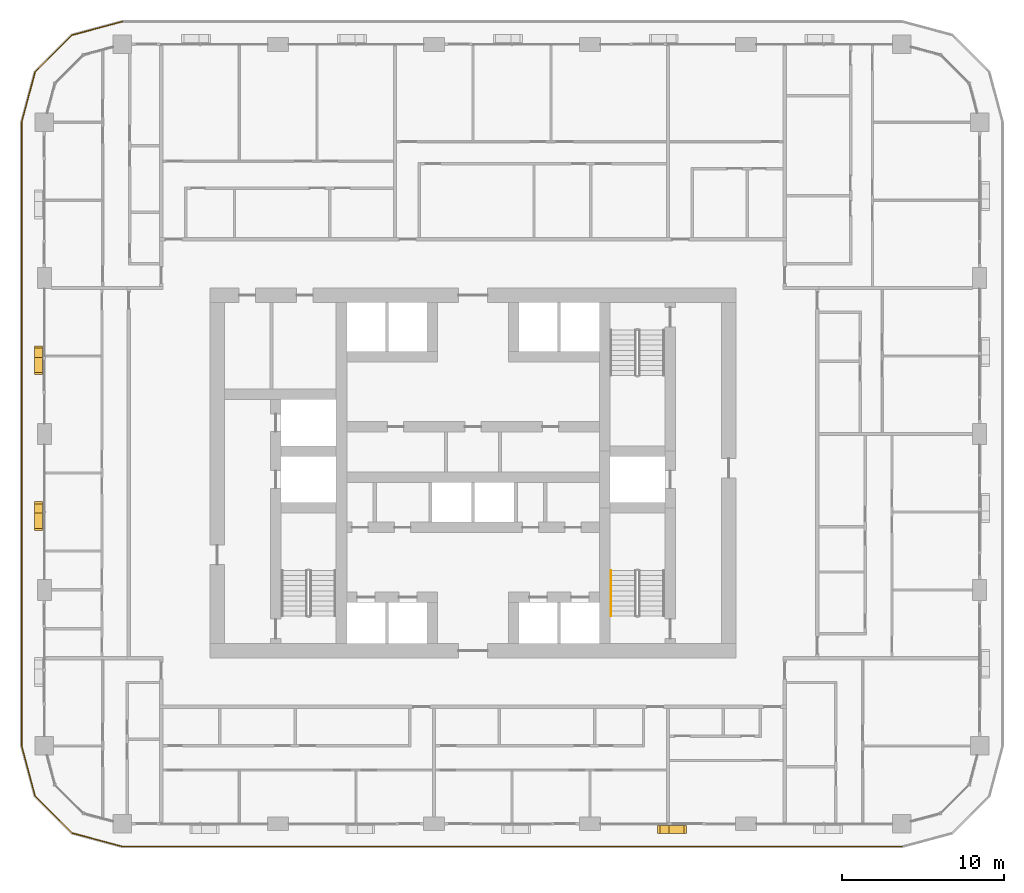
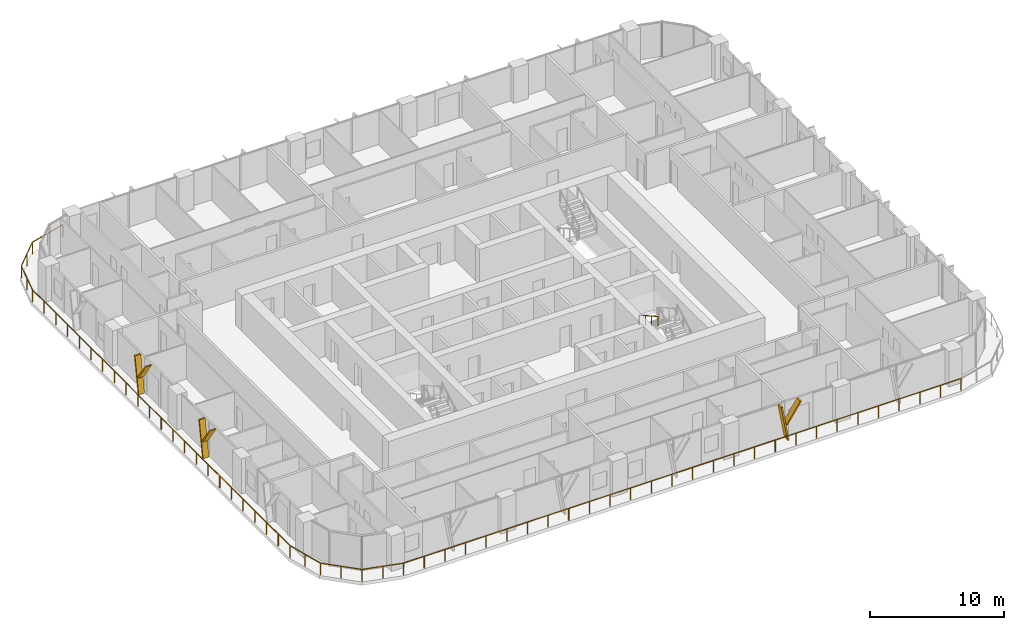
# One storey, part 17 of 21: 6 shading devices, 2 railings.
"""IFC4 building model written with IfcOpenShell, lengths in metres."""

from ifc_helpers import new_model, si_unit, direction, frame, origin, origin_2d, place, context, subcontext, project, spatial, polyline, circle, outline, extrude, material, type_object, element, save


model = new_model("IFC4")

# Units and contexts
model_context = context("Model", 3, precision=1e-05, world=origin(), true_north=direction((0.0, 1.0)))
body_context = subcontext(model_context, "Body", "Model", "MODEL_VIEW")
ifc_project = project(units=[si_unit("LENGTHUNIT", "METRE"), si_unit("AREAUNIT", "SQUARE_METRE"), si_unit("VOLUMEUNIT", "CUBIC_METRE"), si_unit("PLANEANGLEUNIT", "RADIAN"), si_unit("MASSUNIT", "GRAM", prefix="KILO")], contexts=[model_context])

# Site, building, storey
site_placement = place(None, origin())
site = spatial("IfcSite", under=ifc_project, at=site_placement, CompositionType="ELEMENT")
building_placement = place(site_placement, origin())
building = spatial("IfcBuilding", under=site, at=building_placement, Name="Madar Terraces", CompositionType="ELEMENT")
storey_placement = place(building_placement, frame((0.0, 0.0, 89.199951171875)))
storey = spatial("IfcBuildingStorey", under=building, at=storey_placement, Name="L22", CompositionType="ELEMENT", Elevation=89.199951171875)

# Railing
ifc_material_1 = material(Name="Glass, safety glazing, with stainless steel posts", Category="steel")
railing_type_1 = type_object("IfcRailingType", Name="Balcony glass guard 1100", PredefinedType="GUARDRAIL", material=ifc_material_1)
railing_1_placement = place(storey_placement, frame((9.60009765625, 54.199951171875, 0.0)))
element("IfcRailing", 1, at=railing_1_placement, inside=storey, type_object=railing_type_1, Name="Balcony guard", PredefinedType="GUARDRAIL", context=body_context, shape_type="SweptSolid", body=[
    extrude(circle(Radius=0.02392578125, at=origin_2d()), frame((0.0, 0.0, 1.076171875), z_axis=(-0.9659337912, -0.258789317819, 0.0), x_axis=(0.258789317819, -0.9659337912, 0.0)), (0.0, 0.0, 1.0), 3.20947265625),
    extrude(circle(Radius=0.02392578125, at=origin_2d()), frame((-3.10009765625, -0.83056640625, 1.076171875), z_axis=(-0.707106781187, -0.707106781187, 0.0), x_axis=(0.707106781187, -0.707106781187, 0.0)), (0.0, 0.0, 1.0), 3.209228515625),
    extrude(circle(Radius=0.02392578125, at=origin_2d()), frame((-5.369384765625, -3.099853515625, 1.076171875), z_axis=(-0.258860290944, -0.965914773555, 0.0), x_axis=(0.965914773555, -0.258860290944, 0.0)), (0.0, 0.0, 1.0), 3.20947265625),
    extrude(circle(Radius=0.02392578125, at=origin_2d()), frame((-6.2001953125, -6.199951171875, 1.076171875), z_axis=(0.0, -1.0, 0.0), x_axis=(1.0, 0.0, 0.0)), (0.0, 0.0, 1.0), 38.39990234375),
    extrude(circle(Radius=0.02392578125, at=origin_2d()), frame((-6.2001953125, -44.599853515625, 1.076171875), z_axis=(0.258860290944, -0.965914773555, 0.0), x_axis=(0.965914773555, 0.258860290944, 0.0)), (0.0, 0.0, 1.0), 3.20947265625),
    extrude(circle(Radius=0.02392578125, at=origin_2d()), frame((-5.369384765625, -47.699951171875, 1.076171875), z_axis=(0.707106781187, -0.707106781187, 0.0), x_axis=(0.707106781187, 0.707106781187, 0.0)), (0.0, 0.0, 1.0), 3.209228515625),
    extrude(circle(Radius=0.02392578125, at=origin_2d()), frame((-3.10009765625, -49.96923828125, 1.076171875), z_axis=(0.965914773555, -0.258860290944, 0.0), x_axis=(0.258860290944, 0.965914773555, 0.0)), (0.0, 0.0, 1.0), 3.20947265625),
    extrude(circle(Radius=0.02392578125, at=origin_2d()), frame((0.0, -50.800048828125, 1.076171875), z_axis=(1.0, 0.0, 0.0), x_axis=(0.0, 1.0, 0.0)), (0.0, 0.0, 1.0), 48.0),
    extrude(circle(Radius=0.02099609375, at=origin_2d()), origin(), (0.0, 0.0, 1.0), 1.052001953125),
    extrude(circle(Radius=0.02099609375, at=origin_2d()), frame((-1.550048828125, -0.415283203125, 0.0)), (0.0, 0.0, 1.0), 1.052001953125),
    extrude(circle(Radius=0.02099609375, at=origin_2d()), frame((-3.10009765625, -0.83056640625, 0.0)), (0.0, 0.0, 1.0), 1.052001953125),
    extrude(circle(Radius=0.02099609375, at=origin_2d()), frame((-4.23486328125, -1.96533203125, 0.0)), (0.0, 0.0, 1.0), 1.052001953125),
    extrude(circle(Radius=0.02099609375, at=origin_2d()), frame((-5.369384765625, -3.099853515625, 0.0)), (0.0, 0.0, 1.0), 1.052001953125),
    extrude(circle(Radius=0.02099609375, at=origin_2d()), frame((-5.78466796875, -4.64990234375, 0.0)), (0.0, 0.0, 1.0), 1.052001953125),
    extrude(circle(Radius=0.02099609375, at=origin_2d()), frame((-6.2001953125, -6.199951171875, 0.0)), (0.0, 0.0, 1.0), 1.052001953125),
    extrude(circle(Radius=0.02099609375, at=origin_2d()), frame((-6.2001953125, -7.9453125, 0.0)), (0.0, 0.0, 1.0), 1.052001953125),
    extrude(circle(Radius=0.02099609375, at=origin_2d()), frame((-6.2001953125, -9.69091796875, 0.0)), (0.0, 0.0, 1.0), 1.052001953125),
    extrude(circle(Radius=0.02099609375, at=origin_2d()), frame((-6.2001953125, -11.436279296875, 0.0)), (0.0, 0.0, 1.0), 1.052001953125),
    extrude(circle(Radius=0.02099609375, at=origin_2d()), frame((-6.2001953125, -13.181640625, 0.0)), (0.0, 0.0, 1.0), 1.052001953125),
    extrude(circle(Radius=0.02099609375, at=origin_2d()), frame((-6.2001953125, -14.92724609375, 0.0)), (0.0, 0.0, 1.0), 1.052001953125),
    extrude(circle(Radius=0.02099609375, at=origin_2d()), frame((-6.2001953125, -16.672607421875, 0.0)), (0.0, 0.0, 1.0), 1.052001953125),
    extrude(circle(Radius=0.02099609375, at=origin_2d()), frame((-6.2001953125, -18.418212890625, 0.0)), (0.0, 0.0, 1.0), 1.052001953125),
    extrude(circle(Radius=0.02099609375, at=origin_2d()), frame((-6.2001953125, -20.16357421875, 0.0)), (0.0, 0.0, 1.0), 1.052001953125),
    extrude(circle(Radius=0.02099609375, at=origin_2d()), frame((-6.2001953125, -21.908935546875, 0.0)), (0.0, 0.0, 1.0), 1.052001953125),
    extrude(circle(Radius=0.02099609375, at=origin_2d()), frame((-6.2001953125, -23.654541015625, 0.0)), (0.0, 0.0, 1.0), 1.052001953125),
    extrude(circle(Radius=0.02099609375, at=origin_2d()), frame((-6.2001953125, -25.39990234375, 0.0)), (0.0, 0.0, 1.0), 1.052001953125),
    extrude(circle(Radius=0.02099609375, at=origin_2d()), frame((-6.2001953125, -27.145263671875, 0.0)), (0.0, 0.0, 1.0), 1.052001953125),
    extrude(circle(Radius=0.02099609375, at=origin_2d()), frame((-6.2001953125, -28.890869140625, 0.0)), (0.0, 0.0, 1.0), 1.052001953125),
    extrude(circle(Radius=0.02099609375, at=origin_2d()), frame((-6.2001953125, -30.63623046875, 0.0)), (0.0, 0.0, 1.0), 1.052001953125),
    extrude(circle(Radius=0.02099609375, at=origin_2d()), frame((-6.2001953125, -32.381591796875, 0.0)), (0.0, 0.0, 1.0), 1.052001953125),
    extrude(circle(Radius=0.02099609375, at=origin_2d()), frame((-6.2001953125, -34.127197265625, 0.0)), (0.0, 0.0, 1.0), 1.052001953125),
    extrude(circle(Radius=0.02099609375, at=origin_2d()), frame((-6.2001953125, -35.87255859375, 0.0)), (0.0, 0.0, 1.0), 1.052001953125),
    extrude(circle(Radius=0.02099609375, at=origin_2d()), frame((-6.2001953125, -37.6181640625, 0.0)), (0.0, 0.0, 1.0), 1.052001953125),
    extrude(circle(Radius=0.02099609375, at=origin_2d()), frame((-6.2001953125, -39.363525390625, 0.0)), (0.0, 0.0, 1.0), 1.052001953125),
    extrude(circle(Radius=0.02099609375, at=origin_2d()), frame((-6.2001953125, -41.10888671875, 0.0)), (0.0, 0.0, 1.0), 1.052001953125),
    extrude(circle(Radius=0.02099609375, at=origin_2d()), frame((-6.2001953125, -42.8544921875, 0.0)), (0.0, 0.0, 1.0), 1.052001953125),
    extrude(circle(Radius=0.02099609375, at=origin_2d()), frame((-6.2001953125, -44.599853515625, 0.0)), (0.0, 0.0, 1.0), 1.052001953125),
    extrude(circle(Radius=0.02099609375, at=origin_2d()), frame((-5.78466796875, -46.14990234375, 0.0)), (0.0, 0.0, 1.0), 1.052001953125),
    extrude(circle(Radius=0.02099609375, at=origin_2d()), frame((-5.369384765625, -47.699951171875, 0.0)), (0.0, 0.0, 1.0), 1.052001953125),
    extrude(circle(Radius=0.02099609375, at=origin_2d()), frame((-4.23486328125, -48.83447265625, 0.0)), (0.0, 0.0, 1.0), 1.052001953125),
    extrude(circle(Radius=0.02099609375, at=origin_2d()), frame((-3.10009765625, -49.96923828125, 0.0)), (0.0, 0.0, 1.0), 1.052001953125),
    extrude(circle(Radius=0.02099609375, at=origin_2d()), frame((-1.550048828125, -50.384765625, 0.0)), (0.0, 0.0, 1.0), 1.052001953125),
    extrude(circle(Radius=0.02099609375, at=origin_2d()), frame((0.0, -50.800048828125, 0.0)), (0.0, 0.0, 1.0), 1.052001953125),
    extrude(circle(Radius=0.02099609375, at=origin_2d()), frame((1.77783203125, -50.800048828125, 0.0)), (0.0, 0.0, 1.0), 1.052001953125),
    extrude(circle(Radius=0.02099609375, at=origin_2d()), frame((3.5556640625, -50.800048828125, 0.0)), (0.0, 0.0, 1.0), 1.052001953125),
    extrude(circle(Radius=0.02099609375, at=origin_2d()), frame((5.333251953125, -50.800048828125, 0.0)), (0.0, 0.0, 1.0), 1.052001953125),
    extrude(circle(Radius=0.02099609375, at=origin_2d()), frame((7.111083984375, -50.800048828125, 0.0)), (0.0, 0.0, 1.0), 1.052001953125),
    extrude(circle(Radius=0.02099609375, at=origin_2d()), frame((8.888916015625, -50.800048828125, 0.0)), (0.0, 0.0, 1.0), 1.052001953125),
    extrude(circle(Radius=0.02099609375, at=origin_2d()), frame((10.666748046875, -50.800048828125, 0.0)), (0.0, 0.0, 1.0), 1.052001953125),
    extrude(circle(Radius=0.02099609375, at=origin_2d()), frame((12.4443359375, -50.800048828125, 0.0)), (0.0, 0.0, 1.0), 1.052001953125),
    extrude(circle(Radius=0.02099609375, at=origin_2d()), frame((14.22216796875, -50.800048828125, 0.0)), (0.0, 0.0, 1.0), 1.052001953125),
    extrude(circle(Radius=0.02099609375, at=origin_2d()), frame((16.0, -50.800048828125, 0.0)), (0.0, 0.0, 1.0), 1.052001953125),
    extrude(circle(Radius=0.02099609375, at=origin_2d()), frame((17.77783203125, -50.800048828125, 0.0)), (0.0, 0.0, 1.0), 1.052001953125),
    extrude(circle(Radius=0.02099609375, at=origin_2d()), frame((19.5556640625, -50.800048828125, 0.0)), (0.0, 0.0, 1.0), 1.052001953125),
    extrude(circle(Radius=0.02099609375, at=origin_2d()), frame((21.333251953125, -50.800048828125, 0.0)), (0.0, 0.0, 1.0), 1.052001953125),
    extrude(circle(Radius=0.02099609375, at=origin_2d()), frame((23.111083984375, -50.800048828125, 0.0)), (0.0, 0.0, 1.0), 1.052001953125),
    extrude(circle(Radius=0.02099609375, at=origin_2d()), frame((24.888916015625, -50.800048828125, 0.0)), (0.0, 0.0, 1.0), 1.052001953125),
    extrude(circle(Radius=0.02099609375, at=origin_2d()), frame((26.666748046875, -50.800048828125, 0.0)), (0.0, 0.0, 1.0), 1.052001953125),
    extrude(circle(Radius=0.02099609375, at=origin_2d()), frame((28.4443359375, -50.800048828125, 0.0)), (0.0, 0.0, 1.0), 1.052001953125),
    extrude(circle(Radius=0.02099609375, at=origin_2d()), frame((30.22216796875, -50.800048828125, 0.0)), (0.0, 0.0, 1.0), 1.052001953125),
    extrude(circle(Radius=0.02099609375, at=origin_2d()), frame((32.0, -50.800048828125, 0.0)), (0.0, 0.0, 1.0), 1.052001953125),
    extrude(circle(Radius=0.02099609375, at=origin_2d()), frame((33.77783203125, -50.800048828125, 0.0)), (0.0, 0.0, 1.0), 1.052001953125),
    extrude(circle(Radius=0.02099609375, at=origin_2d()), frame((35.5556640625, -50.800048828125, 0.0)), (0.0, 0.0, 1.0), 1.052001953125),
    extrude(circle(Radius=0.02099609375, at=origin_2d()), frame((37.333251953125, -50.800048828125, 0.0)), (0.0, 0.0, 1.0), 1.052001953125),
    extrude(circle(Radius=0.02099609375, at=origin_2d()), frame((39.111083984375, -50.800048828125, 0.0)), (0.0, 0.0, 1.0), 1.052001953125),
    extrude(circle(Radius=0.02099609375, at=origin_2d()), frame((40.888916015625, -50.800048828125, 0.0)), (0.0, 0.0, 1.0), 1.052001953125),
    extrude(circle(Radius=0.02099609375, at=origin_2d()), frame((42.666748046875, -50.800048828125, 0.0)), (0.0, 0.0, 1.0), 1.052001953125),
    extrude(circle(Radius=0.02099609375, at=origin_2d()), frame((44.4443359375, -50.800048828125, 0.0)), (0.0, 0.0, 1.0), 1.052001953125),
    extrude(circle(Radius=0.02099609375, at=origin_2d()), frame((46.22216796875, -50.800048828125, 0.0)), (0.0, 0.0, 1.0), 1.052001953125),
    extrude(circle(Radius=0.02099609375, at=origin_2d()), frame((48.0, -50.800048828125, 0.0)), (0.0, 0.0, 1.0), 1.052001953125),
])

# Shading devices
ifc_material_2 = material(Name="Aluminium, black anodised", Category="aluminium")
shading_device_type = type_object("IfcShadingDeviceType", Name="Facade fin blade 140 x 500", PredefinedType="USERDEFINED", material=ifc_material_2)
shading_device_1_placement = place(storey_placement, frame((43.1298828125, 4.449951171875, 0.0), z_axis=(0.0, 0.0, 1.0), x_axis=(1.0, 0.0, 0.0)))
element("IfcShadingDevice", 2, at=shading_device_1_placement, inside=storey, type_object=shading_device_type, Name="FIN L22 S4", ObjectType="FIN", PredefinedType="USERDEFINED", context=body_context, shape_type="SweptSolid", body=[
    extrude(outline(polyline([(0.0, 0.0), (0.14013671875, 0.0), (-0.42431640625, 3.199951171875), (-0.564208984375, 3.199951171875), (0.0, 0.0)])), frame((0.0, 0.25, 0.0), z_axis=(0.0, -1.0, 0.0), x_axis=(1.0, 0.0, 0.0)), (0.0, 0.0, 1.0), 0.5),
])
shading_device_2_placement = place(storey_placement, frame((43.01611328125, 4.449951171875, 1.43994140625), z_axis=(0.0, 0.0, 1.0), x_axis=(1.0, 0.0, 0.0)))
element("IfcShadingDevice", 3, at=shading_device_2_placement, inside=storey, type_object=shading_device_type, Name="FIN L22 S4 branch", ObjectType="FIN", PredefinedType="USERDEFINED", context=body_context, shape_type="SweptSolid", body=[
    extrude(outline(polyline([(0.0, 0.0), (0.139892578125, 0.0), (1.32958984375, 1.760009765625), (1.189697265625, 1.760009765625), (0.0, 0.0)])), frame((0.0, 0.25, 0.0), z_axis=(0.0, -1.0, 0.0), x_axis=(1.0, 0.0, 0.0)), (0.0, 0.0, 1.0), 0.5),
])
shading_device_3_placement = place(storey_placement, frame((4.449951171875, 33.669921875, 0.0), z_axis=(0.0, 0.0, 1.0), x_axis=(0.0, -1.0, 0.0)))
element("IfcShadingDevice", 4, at=shading_device_3_placement, inside=storey, type_object=shading_device_type, Name="FIN L22 W2", ObjectType="FIN", PredefinedType="USERDEFINED", context=body_context, shape_type="SweptSolid", body=[
    extrude(outline(polyline([(0.0, 0.0), (0.139892578125, 0.0), (-0.42431640625, 3.199951171875), (-0.564208984375, 3.199951171875), (0.0, 0.0)])), frame((0.0, 0.25, 0.0), z_axis=(0.0, -1.0, 0.0), x_axis=(1.0, 0.0, 0.0)), (0.0, 0.0, 1.0), 0.5),
])
shading_device_4_placement = place(storey_placement, frame((4.449951171875, 33.783935546875, 1.43994140625), z_axis=(0.0, 0.0, 1.0), x_axis=(0.0, -1.0, 0.0)))
element("IfcShadingDevice", 5, at=shading_device_4_placement, inside=storey, type_object=shading_device_type, Name="FIN L22 W2 branch", ObjectType="FIN", PredefinedType="USERDEFINED", context=body_context, shape_type="SweptSolid", body=[
    extrude(outline(polyline([(0.0, 0.0), (0.14013671875, 0.0), (1.32958984375, 1.760009765625), (1.189697265625, 1.760009765625), (0.0, 0.0)])), frame((0.0, 0.25, 0.0), z_axis=(0.0, -1.0, 0.0), x_axis=(1.0, 0.0, 0.0)), (0.0, 0.0, 1.0), 0.5),
])
shading_device_5_placement = place(storey_placement, frame((4.449951171875, 24.070068359375, 0.0), z_axis=(0.0, 0.0, 1.0), x_axis=(0.0, -1.0, 0.0)))
element("IfcShadingDevice", 6, at=shading_device_5_placement, inside=storey, type_object=shading_device_type, Name="FIN L22 W3", ObjectType="FIN", PredefinedType="USERDEFINED", context=body_context, shape_type="SweptSolid", body=[
    extrude(outline(polyline([(0.0, 0.0), (0.14013671875, 0.0), (-0.42431640625, 3.199951171875), (-0.564208984375, 3.199951171875), (0.0, 0.0)])), frame((0.0, 0.25, 0.0), z_axis=(0.0, -1.0, 0.0), x_axis=(1.0, 0.0, 0.0)), (0.0, 0.0, 1.0), 0.5),
])
shading_device_6_placement = place(storey_placement, frame((4.449951171875, 24.183837890625, 1.43994140625), z_axis=(0.0, 0.0, 1.0), x_axis=(0.0, -1.0, 0.0)))
element("IfcShadingDevice", 7, at=shading_device_6_placement, inside=storey, type_object=shading_device_type, Name="FIN L22 W3 branch", ObjectType="FIN", PredefinedType="USERDEFINED", context=body_context, shape_type="SweptSolid", body=[
    extrude(outline(polyline([(0.0, 0.0), (0.139892578125, 0.0), (1.32958984375, 1.760009765625), (1.189697265625, 1.760009765625), (0.0, 0.0)])), frame((0.0, 0.25, 0.0), z_axis=(0.0, -1.0, 0.0), x_axis=(1.0, 0.0, 0.0)), (0.0, 0.0, 1.0), 0.5),
])

# Railing
ifc_material_3 = material(Name="Stainless steel railing", Category="steel")
railing_type_2 = type_object("IfcRailingType", Name="Stair handrail 900", PredefinedType="HANDRAIL", material=ifc_material_3)
railing_2_placement = place(storey_placement, frame((39.699951171875, 20.389892578125, 1.925048828125)))
element("IfcRailing", 8, at=railing_2_placement, inside=storey, type_object=railing_type_2, Name="L22 ST3 stair handrail 2", PredefinedType="HANDRAIL", context=body_context, shape_type="SweptSolid", body=[
    extrude(circle(Radius=0.02392578125, at=origin_2d()), frame((0.0, 0.0, 0.8759765625), z_axis=(0.0, -0.870815363784, 0.491610213684), x_axis=(1.0, 0.0, 0.0)), (0.0, 0.0, 1.0), 3.20361328125),
    extrude(circle(Radius=0.02099609375, at=origin_2d()), origin(), (0.0, 0.0, 1.0), 0.851806640625),
    extrude(circle(Radius=0.02099609375, at=origin_2d()), frame((0.0, -0.929931640625, 0.52490234375)), (0.0, 0.0, 1.0), 0.851806640625),
    extrude(circle(Radius=0.02099609375, at=origin_2d()), frame((0.0, -1.85986328125, 1.050048828125)), (0.0, 0.0, 1.0), 0.851806640625),
    extrude(circle(Radius=0.02099609375, at=origin_2d()), frame((0.0, -2.789794921875, 1.574951171875)), (0.0, 0.0, 1.0), 0.851806640625),
])

save(model, "model.ifc")
